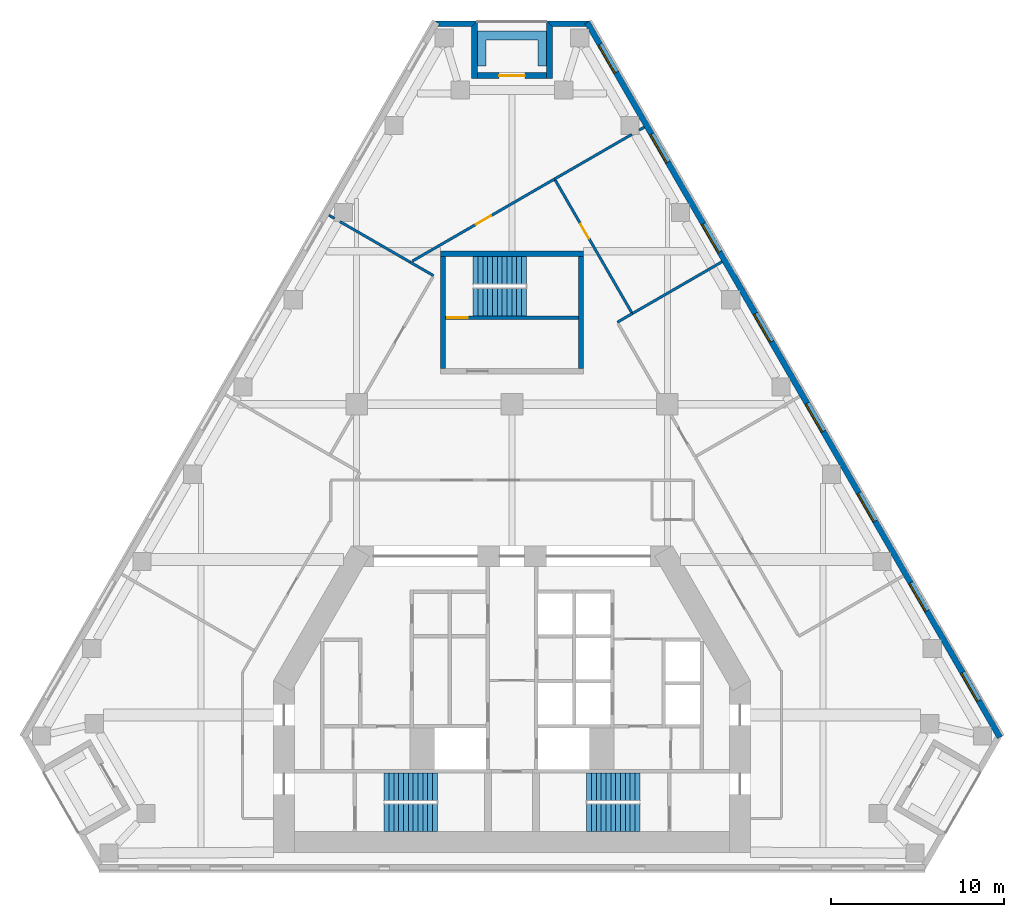
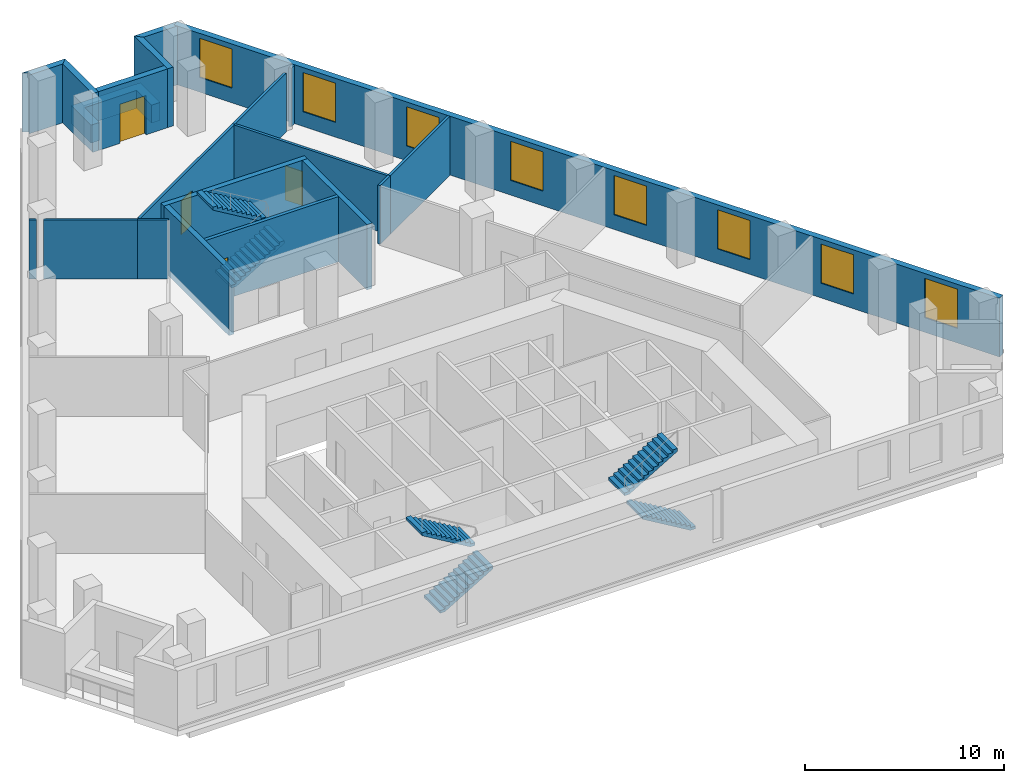
# One storey, part 6 of 7: 20 walls, 8 windows, 6 stair flights, 4 doors, 12 openings, 3 elements without a shape of their own.
"""IFC4 building model written with IfcOpenShell, lengths in metres."""

from ifc_helpers import new_model, si_unit, direction, frame, frame_2d, origin, place, context, subcontext, project, spatial, polyline, rectangle, outline, extrude, material, layer, layer_set, type_object, element, fill, aggregate, save


model = new_model("IFC4")

# Units and contexts
model_context = context("Model", 3, precision=1e-05, world=origin(), true_north=direction((0.0, 1.0)))
body_context = subcontext(model_context, "Body", "Model", "MODEL_VIEW")
ifc_project = project(units=[si_unit("LENGTHUNIT", "METRE"), si_unit("AREAUNIT", "SQUARE_METRE"), si_unit("VOLUMEUNIT", "CUBIC_METRE"), si_unit("PLANEANGLEUNIT", "RADIAN"), si_unit("MASSUNIT", "GRAM", prefix="KILO")], contexts=[model_context])

# Site, building, storey
site_placement = place(None, origin())
site = spatial("IfcSite", under=ifc_project, at=site_placement, CompositionType="ELEMENT")
building_placement = place(site_placement, origin())
building = spatial("IfcBuilding", under=site, at=building_placement, Name="Fogline Exchange Tower", CompositionType="ELEMENT")
storey_placement = place(building_placement, frame((0.0, 0.0, 170.89990234375)))
storey = spatial("IfcBuildingStorey", under=building, at=storey_placement, Name="L38", CompositionType="ELEMENT", Elevation=170.89990234375)

# Wall, opening, door
ifc_material_1 = material(Name="Concrete C40", Category="concrete")
ifc_layer_1 = layer(ifc_material_1, 0.199951171875)
ifc_layer_set_1 = layer_set([ifc_layer_1], Name="CW20R")
wall_type_1 = type_object("IfcWallType", Name="CW20R", PredefinedType="SOLIDWALL", material=ifc_layer_set_1)
wall_1_placement = place(storey_placement, frame((-3.85009765625, 32.007080078125, -0.39990234375), z_axis=(0.0, 0.0, 1.0), x_axis=(1.0, 0.0, 0.0)))
wall_1 = element("IfcWall", 1, at=wall_1_placement, inside=storey, type_object=wall_type_1, Name="Stair enclosure wall ST3", PredefinedType="SOLIDWALL", context=body_context, shape_type="SweptSolid", body=[
    extrude(rectangle(XDim=7.7001953125, YDim=0.199951171875, at=frame_2d((3.85009765625, 0.0))), origin(), (0.0, 0.0, 1.0), 4.0),
])
opening_1_placement = place(wall_1_placement, frame((0.10009765625, 0.0, 0.39990234375)))
opening_1 = element("IfcOpeningElement", 2, at=opening_1_placement, cuts=wall_1, Name="Opening T12-C024", PredefinedType="OPENING", context=body_context, shape_type="SweptSolid", body=[
    extrude(rectangle(XDim=1.199951171875, YDim=2.10009765625, at=frame_2d((0.60009765625, 1.050048828125))), frame((0.0, 0.10986328125, 0.0), z_axis=(0.0, -1.0, 0.0), x_axis=(1.0, 0.0, 0.0)), (0.0, 0.0, 1.0), 0.219970703125),
])
ifc_material_2 = material(Name="Steel and timber fire door", Category="steel")
door_type_1 = type_object("IfcDoorType", Name="D-ST1", OperationType="SINGLE_SWING_LEFT", PredefinedType="DOOR", material=ifc_material_2)
door_1_placement = place(opening_1_placement, origin())
door_1 = element("IfcDoor", 3, at=door_1_placement, inside=storey, type_object=door_type_1, Name="Stair door ST3", OperationType="SINGLE_SWING_LEFT", OverallHeight=2.10009765625, OverallWidth=1.199951171875, PredefinedType="DOOR", context=body_context, shape_type="SweptSolid", body=[
    extrude(rectangle(XDim=1.199951171875, YDim=2.10009765625, at=frame_2d((0.60009765625, 1.050048828125))), frame((0.0, 0.02490234375, 0.0), z_axis=(0.0, -1.0, 0.0), x_axis=(1.0, 0.0, 0.0)), (0.0, 0.0, 1.0), 0.050048828125),
])
fill(opening_1, door_1)

# Walls
ifc_layer_2 = layer(ifc_material_1, 0.300048828125)
ifc_layer_set_2 = layer_set([ifc_layer_2], Name="CW30")
wall_type_2 = type_object("IfcWallType", Name="CW30", PredefinedType="SOLIDWALL", material=ifc_layer_set_2)
wall_2_placement = place(storey_placement, frame((-4.14990234375, 35.70703125, -0.39990234375), z_axis=(0.0, 0.0, 1.0), x_axis=(1.0, 0.0, 0.0)))
element("IfcWall", 4, at=wall_2_placement, inside=storey, type_object=wall_type_2, Name="Stair enclosure wall ST3", PredefinedType="SOLIDWALL", context=body_context, shape_type="SweptSolid", body=[
    extrude(rectangle(XDim=8.2998046875, YDim=0.300048828125, at=frame_2d((4.14990234375, 0.0))), origin(), (0.0, 0.0, 1.0), 4.0),
])
for number, where, z_axis, x_axis, name in (
    (5, (-4.0, 29.056884765625, -0.39990234375), (0.0, 0.0, 1.0), (0.0, 1.0, 0.0), "Stair enclosure wall ST3"),
    (6, (4.0, 29.056884765625, -0.39990234375), (0.0, 0.0, 1.0), (0.0, 1.0, 0.0), "Stair enclosure wall ST3"),
):
    element("IfcWall", number, at=place(storey_placement, frame(where, z_axis=z_axis, x_axis=x_axis)), inside=storey, type_object=wall_type_2, Name=name, PredefinedType="SOLIDWALL", context=body_context, shape_type="SweptSolid", body=[
        extrude(rectangle(XDim=6.5, YDim=0.300048828125, at=frame_2d((3.25, 0.0))), origin(), (0.0, 0.0, 1.0), 4.0),
    ])

# Wall, openings, windows
ifc_material_3 = material(Name="Brick masonry", Category="masonry")
ifc_layer_3 = layer(ifc_material_3, 0.340087890625)
ifc_layer_set_3 = layer_set([ifc_layer_3], Name="FW1")
wall_type_3 = type_object("IfcWallType", Name="FW1", PredefinedType="SOLIDWALL", material=ifc_layer_set_3)
wall_3_placement = place(storey_placement, frame((28.256591796875, 7.709228515625, 0.0), z_axis=(0.0, 0.0, 1.0), x_axis=(-0.500002420408, 0.866024006357, 0.0)))
wall_3 = element("IfcWall", 7, at=wall_3_placement, inside=storey, type_object=wall_type_3, Name="Brick wall L38 E", PredefinedType="SOLIDWALL", context=body_context, shape_type="SweptSolid", body=[
    extrude(rectangle(XDim=47.807373046875, YDim=0.340087890625, at=frame_2d((23.90380859375, 0.0))), origin(), (0.0, 0.0, 1.0), 3.60009765625),
])
opening_2_placement = place(wall_3_placement, frame((2.451904296875, 0.0, 0.89990234375)))
opening_2 = element("IfcOpeningElement", 8, at=opening_2_placement, cuts=wall_3, Name="Opening W1", PredefinedType="OPENING", context=body_context, shape_type="SweptSolid", body=[
    extrude(rectangle(XDim=1.885009765625, YDim=2.39990234375, at=frame_2d((0.9423828125, 1.199951171875))), frame((0.0, 0.18017578125, 0.0), z_axis=(0.0, -1.0, 0.0), x_axis=(1.0, 0.0, 0.0)), (0.0, 0.0, 1.0), 0.360107421875),
])
opening_3_placement = place(wall_3_placement, frame((8.451904296875, 0.0, 0.89990234375)))
opening_3 = element("IfcOpeningElement", 9, at=opening_3_placement, cuts=wall_3, Name="Opening W1", PredefinedType="OPENING", context=body_context, shape_type="SweptSolid", body=[
    extrude(rectangle(XDim=1.885009765625, YDim=2.39990234375, at=frame_2d((0.9423828125, 1.199951171875))), frame((0.0, 0.18017578125, 0.0), z_axis=(0.0, -1.0, 0.0), x_axis=(1.0, 0.0, 0.0)), (0.0, 0.0, 1.0), 0.360107421875),
])
opening_4_placement = place(wall_3_placement, frame((14.451904296875, 0.0, 0.89990234375)))
opening_4 = element("IfcOpeningElement", 10, at=opening_4_placement, cuts=wall_3, Name="Opening W1", PredefinedType="OPENING", context=body_context, shape_type="SweptSolid", body=[
    extrude(rectangle(XDim=1.885009765625, YDim=2.39990234375, at=frame_2d((0.9423828125, 1.199951171875))), frame((0.0, 0.18017578125, 0.0), z_axis=(0.0, -1.0, 0.0), x_axis=(1.0, 0.0, 0.0)), (0.0, 0.0, 1.0), 0.360107421875),
])
opening_5_placement = place(wall_3_placement, frame((20.451904296875, 0.0, 0.89990234375)))
opening_5 = element("IfcOpeningElement", 11, at=opening_5_placement, cuts=wall_3, Name="Opening W1", PredefinedType="OPENING", context=body_context, shape_type="SweptSolid", body=[
    extrude(rectangle(XDim=1.885009765625, YDim=2.39990234375, at=frame_2d((0.9423828125, 1.199951171875))), frame((0.0, 0.18017578125, 0.0), z_axis=(0.0, -1.0, 0.0), x_axis=(1.0, 0.0, 0.0)), (0.0, 0.0, 1.0), 0.360107421875),
])
opening_6_placement = place(wall_3_placement, frame((26.451904296875, 0.0, 0.89990234375)))
opening_6 = element("IfcOpeningElement", 12, at=opening_6_placement, cuts=wall_3, Name="Opening W1", PredefinedType="OPENING", context=body_context, shape_type="SweptSolid", body=[
    extrude(rectangle(XDim=1.885009765625, YDim=2.39990234375, at=frame_2d((0.9423828125, 1.199951171875))), frame((0.0, 0.18017578125, 0.0), z_axis=(0.0, -1.0, 0.0), x_axis=(1.0, 0.0, 0.0)), (0.0, 0.0, 1.0), 0.360107421875),
])
opening_7_placement = place(wall_3_placement, frame((32.451904296875, 0.0, 0.89990234375)))
opening_7 = element("IfcOpeningElement", 13, at=opening_7_placement, cuts=wall_3, Name="Opening W1", PredefinedType="OPENING", context=body_context, shape_type="SweptSolid", body=[
    extrude(rectangle(XDim=1.885009765625, YDim=2.39990234375, at=frame_2d((0.9423828125, 1.199951171875))), frame((0.0, 0.18017578125, 0.0), z_axis=(0.0, -1.0, 0.0), x_axis=(1.0, 0.0, 0.0)), (0.0, 0.0, 1.0), 0.360107421875),
])
opening_8_placement = place(wall_3_placement, frame((38.451904296875, 0.0, 0.89990234375)))
opening_8 = element("IfcOpeningElement", 14, at=opening_8_placement, cuts=wall_3, Name="Opening W1", PredefinedType="OPENING", context=body_context, shape_type="SweptSolid", body=[
    extrude(rectangle(XDim=1.885009765625, YDim=2.39990234375, at=frame_2d((0.9423828125, 1.199951171875))), frame((0.0, 0.18017578125, 0.0), z_axis=(0.0, -1.0, 0.0), x_axis=(1.0, 0.0, 0.0)), (0.0, 0.0, 1.0), 0.360107421875),
])
opening_9_placement = place(wall_3_placement, frame((44.451904296875, 0.0, 0.89990234375)))
opening_9 = element("IfcOpeningElement", 15, at=opening_9_placement, cuts=wall_3, Name="Opening W1", PredefinedType="OPENING", context=body_context, shape_type="SweptSolid", body=[
    extrude(rectangle(XDim=1.885009765625, YDim=2.39990234375, at=frame_2d((0.9423828125, 1.199951171875))), frame((0.0, 0.18017578125, 0.0), z_axis=(0.0, -1.0, 0.0), x_axis=(1.0, 0.0, 0.0)), (0.0, 0.0, 1.0), 0.360107421875),
])
ifc_material_4 = material(Name="Aluminium and glass", Category="aluminium")
window_type = type_object("IfcWindowType", Name="W1", PartitioningType="SINGLE_PANEL", PredefinedType="WINDOW", material=ifc_material_4)
window_1_placement = place(opening_2_placement, origin())
window_1 = element("IfcWindow", 16, at=window_1_placement, inside=storey, type_object=window_type, Name="W1 W1", OverallHeight=2.39990234375, OverallWidth=1.885009765625, PartitioningType="SINGLE_PANEL", PredefinedType="WINDOW", context=body_context, shape_type="SweptSolid", body=[
    extrude(rectangle(XDim=1.885009765625, YDim=2.39990234375, at=frame_2d((0.9423828125, 1.199951171875))), frame((0.0, 0.110107421875, 0.0), z_axis=(0.0, -1.0, 0.0), x_axis=(1.0, 0.0, 0.0)), (0.0, 0.0, 1.0), 0.06005859375),
])
fill(opening_2, window_1)
window_2_placement = place(opening_3_placement, origin())
window_2 = element("IfcWindow", 17, at=window_2_placement, inside=storey, type_object=window_type, Name="W1 W1", OverallHeight=2.39990234375, OverallWidth=1.885009765625, PartitioningType="SINGLE_PANEL", PredefinedType="WINDOW", context=body_context, shape_type="SweptSolid", body=[
    extrude(rectangle(XDim=1.885009765625, YDim=2.39990234375, at=frame_2d((0.9423828125, 1.199951171875))), frame((0.0, 0.110107421875, 0.0), z_axis=(0.0, -1.0, 0.0), x_axis=(1.0, 0.0, 0.0)), (0.0, 0.0, 1.0), 0.06005859375),
])
fill(opening_3, window_2)
window_3_placement = place(opening_4_placement, origin())
window_3 = element("IfcWindow", 18, at=window_3_placement, inside=storey, type_object=window_type, Name="W1 W1", OverallHeight=2.39990234375, OverallWidth=1.885009765625, PartitioningType="SINGLE_PANEL", PredefinedType="WINDOW", context=body_context, shape_type="SweptSolid", body=[
    extrude(rectangle(XDim=1.885009765625, YDim=2.39990234375, at=frame_2d((0.9423828125, 1.199951171875))), frame((0.0, 0.110107421875, 0.0), z_axis=(0.0, -1.0, 0.0), x_axis=(1.0, 0.0, 0.0)), (0.0, 0.0, 1.0), 0.06005859375),
])
fill(opening_4, window_3)
window_4_placement = place(opening_5_placement, origin())
window_4 = element("IfcWindow", 19, at=window_4_placement, inside=storey, type_object=window_type, Name="W1 W1", OverallHeight=2.39990234375, OverallWidth=1.885009765625, PartitioningType="SINGLE_PANEL", PredefinedType="WINDOW", context=body_context, shape_type="SweptSolid", body=[
    extrude(rectangle(XDim=1.885009765625, YDim=2.39990234375, at=frame_2d((0.9423828125, 1.199951171875))), frame((0.0, 0.110107421875, 0.0), z_axis=(0.0, -1.0, 0.0), x_axis=(1.0, 0.0, 0.0)), (0.0, 0.0, 1.0), 0.06005859375),
])
fill(opening_5, window_4)
window_5_placement = place(opening_6_placement, origin())
window_5 = element("IfcWindow", 20, at=window_5_placement, inside=storey, type_object=window_type, Name="W1 W1", OverallHeight=2.39990234375, OverallWidth=1.885009765625, PartitioningType="SINGLE_PANEL", PredefinedType="WINDOW", context=body_context, shape_type="SweptSolid", body=[
    extrude(rectangle(XDim=1.885009765625, YDim=2.39990234375, at=frame_2d((0.9423828125, 1.199951171875))), frame((0.0, 0.110107421875, 0.0), z_axis=(0.0, -1.0, 0.0), x_axis=(1.0, 0.0, 0.0)), (0.0, 0.0, 1.0), 0.06005859375),
])
fill(opening_6, window_5)
window_6_placement = place(opening_7_placement, origin())
window_6 = element("IfcWindow", 21, at=window_6_placement, inside=storey, type_object=window_type, Name="W1 W1", OverallHeight=2.39990234375, OverallWidth=1.885009765625, PartitioningType="SINGLE_PANEL", PredefinedType="WINDOW", context=body_context, shape_type="SweptSolid", body=[
    extrude(rectangle(XDim=1.885009765625, YDim=2.39990234375, at=frame_2d((0.9423828125, 1.199951171875))), frame((0.0, 0.110107421875, 0.0), z_axis=(0.0, -1.0, 0.0), x_axis=(1.0, 0.0, 0.0)), (0.0, 0.0, 1.0), 0.06005859375),
])
fill(opening_7, window_6)
window_7_placement = place(opening_8_placement, origin())
window_7 = element("IfcWindow", 22, at=window_7_placement, inside=storey, type_object=window_type, Name="W1 W1", OverallHeight=2.39990234375, OverallWidth=1.885009765625, PartitioningType="SINGLE_PANEL", PredefinedType="WINDOW", context=body_context, shape_type="SweptSolid", body=[
    extrude(rectangle(XDim=1.885009765625, YDim=2.39990234375, at=frame_2d((0.9423828125, 1.199951171875))), frame((0.0, 0.110107421875, 0.0), z_axis=(0.0, -1.0, 0.0), x_axis=(1.0, 0.0, 0.0)), (0.0, 0.0, 1.0), 0.06005859375),
])
fill(opening_8, window_7)
window_8_placement = place(opening_9_placement, origin())
window_8 = element("IfcWindow", 23, at=window_8_placement, inside=storey, type_object=window_type, Name="W1 W1", OverallHeight=2.39990234375, OverallWidth=1.885009765625, PartitioningType="SINGLE_PANEL", PredefinedType="WINDOW", context=body_context, shape_type="SweptSolid", body=[
    extrude(rectangle(XDim=1.885009765625, YDim=2.39990234375, at=frame_2d((0.9423828125, 1.199951171875))), frame((0.0, 0.110107421875, 0.0), z_axis=(0.0, -1.0, 0.0), x_axis=(1.0, 0.0, 0.0)), (0.0, 0.0, 1.0), 0.06005859375),
])
fill(opening_9, window_8)

# Walls
wall_4_placement = place(storey_placement, origin())
element("IfcWall", 24, at=wall_4_placement, inside=storey, type_object=wall_type_3, Name="Brick wall L38 N-c1", PredefinedType="SOLIDWALL", context=body_context, shape_type="SweptSolid", body=[
    extrude(outline(polyline([(1.9990234375, 49.197265625), (4.5009765625, 49.197265625), (4.501220703125, 49.19677734375), (4.206298828125, 49.0263671875), (4.3046875, 48.85595703125), (2.33984375, 48.85595703125), (1.998779296875, 49.197021484375), (1.9990234375, 49.197265625)])), origin(), (0.0, 0.0, 1.0), 3.60009765625),
])
wall_5_placement = place(storey_placement, origin())
element("IfcWall", 25, at=wall_5_placement, inside=storey, type_object=wall_type_3, Name="Brick wall L38 N-s1", PredefinedType="SOLIDWALL", context=body_context, shape_type="SweptSolid", body=[
    extrude(outline(polyline([(2.340576171875, 45.85595703125), (1.99951171875, 45.85595703125), (1.99951171875, 49.19775390625), (1.999755859375, 49.19775390625), (2.340576171875, 48.85693359375), (2.340576171875, 45.85595703125)])), origin(), (0.0, 0.0, 1.0), 3.60009765625),
])

# Wall, opening, door
wall_6_placement = place(storey_placement, frame((2.0, 46.026611328125, 0.0), z_axis=(0.0, 0.0, 1.0), x_axis=(-1.0, 0.0, 0.0)))
wall_6 = element("IfcWall", 26, at=wall_6_placement, inside=storey, type_object=wall_type_3, Name="Brick wall L38 N-bk", PredefinedType="SOLIDWALL", context=body_context, shape_type="SweptSolid", body=[
    extrude(rectangle(XDim=4.0, YDim=0.340087890625, at=frame_2d((2.0, 0.0))), origin(), (0.0, 0.0, 1.0), 3.60009765625),
])
opening_10_placement = place(wall_6_placement, frame((1.25, 0.0, 0.0)))
opening_10 = element("IfcOpeningElement", 27, at=opening_10_placement, cuts=wall_6, Name="Opening T12-E141", PredefinedType="OPENING", context=body_context, shape_type="SweptSolid", body=[
    extrude(rectangle(XDim=1.5, YDim=2.39990234375, at=frame_2d((0.75, 1.199951171875))), frame((0.0, 0.18017578125, 0.0), z_axis=(0.0, -1.0, 0.0), x_axis=(1.0, 0.0, 0.0)), (0.0, 0.0, 1.0), 0.360107421875),
])
door_type_2 = type_object("IfcDoorType", Name="ED4", OperationType="SINGLE_SWING_LEFT", PredefinedType="DOOR", material=ifc_material_4)
door_2_placement = place(opening_10_placement, frame((1.5, 0.0, 0.0), z_axis=(0.0, 0.0, 1.0), x_axis=(-1.0, 0.0, 0.0)))
door_2 = element("IfcDoor", 28, at=door_2_placement, inside=storey, type_object=door_type_2, Name="Balcony door L38 N", OperationType="DOUBLE_DOOR_SINGLE_SWING", OverallHeight=2.39990234375, OverallWidth=1.5, PredefinedType="DOOR", context=body_context, shape_type="SweptSolid", body=[
    extrude(rectangle(XDim=1.5, YDim=2.39990234375, at=frame_2d((0.75, 1.199951171875))), frame((0.0, 0.02490234375, 0.0), z_axis=(0.0, -1.0, 0.0), x_axis=(1.0, 0.0, 0.0)), (0.0, 0.0, 1.0), 0.050048828125),
])
fill(opening_10, door_2)

# Walls
wall_7_placement = place(storey_placement, origin())
element("IfcWall", 29, at=wall_7_placement, inside=storey, type_object=wall_type_3, Name="Brick wall L38 N-s2", PredefinedType="SOLIDWALL", context=body_context, shape_type="SweptSolid", body=[
    extrude(outline(polyline([(-1.99951171875, 49.19775390625), (-1.99951171875, 45.85595703125), (-2.340576171875, 45.85595703125), (-2.340576171875, 48.85693359375), (-1.999755859375, 49.19775390625), (-1.99951171875, 49.19775390625)])), origin(), (0.0, 0.0, 1.0), 3.60009765625),
])
wall_8_placement = place(storey_placement, origin())
element("IfcWall", 30, at=wall_8_placement, inside=storey, type_object=wall_type_3, Name="Brick wall L38 N-c2", PredefinedType="SOLIDWALL", context=body_context, shape_type="SweptSolid", body=[
    extrude(outline(polyline([(-4.3046875, 48.85595703125), (-4.206298828125, 49.0263671875), (-4.501220703125, 49.19677734375), (-4.5009765625, 49.197265625), (-1.9990234375, 49.197265625), (-1.998779296875, 49.197021484375), (-2.33984375, 48.85595703125), (-4.3046875, 48.85595703125)])), origin(), (0.0, 0.0, 1.0), 3.60009765625),
])
ifc_material_5 = material(Name="Concrete C30", Category="concrete")
ifc_layer_4 = layer(ifc_material_5, 0.199951171875)
ifc_layer_set_4 = layer_set([ifc_layer_4], Name="PL1")
wall_type_4 = type_object("IfcWallType", Name="PL1", PredefinedType="USERDEFINED", material=ifc_layer_set_4)
wall_9_placement = place(storey_placement, origin())
element("IfcWall", 31, at=wall_9_placement, inside=storey, type_object=wall_type_4, Name="PLANTER balcony L38 N", ObjectType="PLANTER", PredefinedType="USERDEFINED", context=body_context, shape_type="SweptSolid", body=[
    extrude(outline(polyline([(-1.5, 48.5966796875), (-2.0, 48.5966796875), (-2.0, 48.0966796875), (-2.0, 46.5966796875), (-1.5, 46.5966796875), (-1.5, 48.0966796875), (1.5, 48.0966796875), (1.5, 46.5966796875), (2.0, 46.5966796875), (2.0, 48.0966796875), (2.0, 48.5966796875), (1.5, 48.5966796875), (-1.5, 48.5966796875)])), origin(), (0.0, 0.0, 1.0), 1.10009765625),
])
ifc_material_6 = material(Name="Plasterboard demising partition with mineral wool and acoustic board")
ifc_layer_5 = layer(ifc_material_6, 0.14990234375)
ifc_layer_set_5 = layer_set([ifc_layer_5], Name="PW3")
wall_type_5 = type_object("IfcWallType", Name="PW3", PredefinedType="PARTITIONING", material=ifc_layer_set_5)
wall_10_placement = place(storey_placement, frame((6.9658203125, 32.24560546875, 0.0), z_axis=(0.0, 0.0, 1.0), x_axis=(0.866031096941, 0.499990139034, 0.0)))
element("IfcWall", 32, at=wall_10_placement, inside=storey, type_object=wall_type_5, Name="wall-L38-W018", PredefinedType="PARTITIONING", context=body_context, shape_type="SweptSolid", body=[
    extrude(rectangle(XDim=6.0, YDim=0.14990234375, at=frame_2d((3.0, 0.0))), origin(), (0.0, 0.0, 1.0), 3.60009765625),
])
wall_11_placement = place(storey_placement, frame((6.099853515625, 31.74560546875, 0.0), z_axis=(0.0, 0.0, 1.0), x_axis=(0.866010750942, 0.50002537861, 0.0)))
element("IfcWall", 33, at=wall_11_placement, inside=storey, type_object=wall_type_5, Name="wall-L38-W021", PredefinedType="PARTITIONING", context=body_context, shape_type="SweptSolid", body=[
    extrude(rectangle(XDim=1.0, YDim=0.14990234375, at=frame_2d((0.5, 0.0))), origin(), (0.0, 0.0, 1.0), 3.60009765625),
])
wall_12_placement = place(storey_placement, frame((2.4658203125, 40.039794921875, 0.0), z_axis=(0.0, 0.0, 1.0), x_axis=(0.866028888221, 0.499993964731, 0.0)))
element("IfcWall", 34, at=wall_12_placement, inside=storey, type_object=wall_type_5, Name="wall-L38-W022", PredefinedType="PARTITIONING", context=body_context, shape_type="SweptSolid", body=[
    extrude(rectangle(XDim=5.1630859375, YDim=0.14990234375, at=frame_2d((2.58154296875, 0.0))), origin(), (0.0, 0.0, 1.0), 3.60009765625),
])
wall_13_placement = place(storey_placement, frame((7.36328125, 42.867431640625, 0.0), z_axis=(0.0, 0.0, 1.0), x_axis=(0.866232710263, 0.499640762619, 0.0)))
element("IfcWall", 35, at=wall_13_placement, inside=storey, type_object=wall_type_5, Name="wall-L38-W023", PredefinedType="PARTITIONING", context=body_context, shape_type="SweptSolid", body=[
    extrude(rectangle(XDim=0.344970703125, YDim=0.14990234375, at=frame_2d((0.17236328125, 0.0))), origin(), (0.0, 0.0, 1.0), 3.60009765625),
])

# Wall, opening, door
wall_14_placement = place(storey_placement, frame((6.928466796875, 32.310546875, 0.0), z_axis=(0.0, 0.0, 1.0), x_axis=(-0.500005027614, 0.86602250107, 0.0)))
wall_14 = element("IfcWall", 36, at=wall_14_placement, inside=storey, type_object=wall_type_5, Name="wall-L38-W024", PredefinedType="PARTITIONING", context=body_context, shape_type="SweptSolid", body=[
    extrude(rectangle(XDim=8.85009765625, YDim=0.14990234375, at=frame_2d((4.425048828125, 0.0))), origin(), (0.0, 0.0, 1.0), 3.60009765625),
])
opening_11_placement = place(wall_14_placement, frame((4.92724609375, 0.0, 0.0)))
opening_11 = element("IfcOpeningElement", 37, at=opening_11_placement, cuts=wall_14, Name="Opening T12-D009", PredefinedType="OPENING", context=body_context, shape_type="SweptSolid", body=[
    extrude(rectangle(XDim=1.0, YDim=2.10009765625, at=frame_2d((0.5, 1.050048828125))), frame((0.0, 0.0849609375, 0.0), z_axis=(0.0, -1.0, 0.0), x_axis=(1.0, 0.0, 0.0)), (0.0, 0.0, 1.0), 0.169921875),
])
ifc_material_7 = material(Name="Fire-rated timber door leaf with steel frame", Category="steel")
door_type_3 = type_object("IfcDoorType", Name="D3", OperationType="SINGLE_SWING_LEFT", PredefinedType="DOOR", material=ifc_material_7)
door_3_placement = place(opening_11_placement, frame((1.0, 0.0, 0.0), z_axis=(0.0, 0.0, 1.0), x_axis=(-1.0, 0.0, 0.0)))
door_3 = element("IfcDoor", 38, at=door_3_placement, inside=storey, type_object=door_type_3, Name="door-L38-D009", OperationType="SINGLE_SWING_LEFT", OverallHeight=2.10009765625, OverallWidth=1.0, PredefinedType="DOOR", context=body_context, shape_type="SweptSolid", body=[
    extrude(rectangle(XDim=1.0, YDim=2.10009765625, at=frame_2d((0.5, 1.050048828125))), frame((0.0, 0.02490234375, 0.0), z_axis=(0.0, -1.0, 0.0), x_axis=(1.0, 0.0, 0.0)), (0.0, 0.0, 1.0), 0.050048828125),
])
fill(opening_11, door_3)

# Walls
wall_15_placement = place(storey_placement, frame((-5.885009765625, 35.218505859375, 0.0), z_axis=(0.0, 0.0, 1.0), x_axis=(-0.866037835763, 0.499978466563, 0.0)))
element("IfcWall", 39, at=wall_15_placement, inside=storey, type_object=wall_type_5, Name="wall-L38-W025", PredefinedType="PARTITIONING", context=body_context, shape_type="SweptSolid", body=[
    extrude(rectangle(XDim=4.705322265625, YDim=0.14990234375, at=frame_2d((2.3525390625, 0.0))), origin(), (0.0, 0.0, 1.0), 3.60009765625),
])
wall_16_placement = place(storey_placement, frame((-10.279296875, 37.75537109375, 0.0), z_axis=(0.0, 0.0, 1.0), x_axis=(-0.86603400694, 0.499985098601, 0.0)))
element("IfcWall", 40, at=wall_16_placement, inside=storey, type_object=wall_type_5, Name="wall-L38-W026", PredefinedType="PARTITIONING", context=body_context, shape_type="SweptSolid", body=[
    extrude(rectangle(XDim=0.37548828125, YDim=0.14990234375, at=frame_2d((0.187744140625, 0.0))), origin(), (0.0, 0.0, 1.0), 3.60009765625),
])

# Wall, opening, door
wall_17_placement = place(storey_placement, frame((2.4658203125, 40.039794921875, 0.0), z_axis=(0.0, 0.0, 1.0), x_axis=(-0.866031295356, -0.49998979536, 0.0)))
wall_17 = element("IfcWall", 41, at=wall_17_placement, inside=storey, type_object=wall_type_5, Name="wall-L38-W027", PredefinedType="PARTITIONING", context=body_context, shape_type="SweptSolid", body=[
    extrude(rectangle(XDim=9.512451171875, YDim=0.14990234375, at=frame_2d((4.75634765625, 0.0))), origin(), (0.0, 0.0, 1.0), 3.60009765625),
])
opening_12_placement = place(wall_17_placement, frame((4.256103515625, 0.0, 0.0)))
opening_12 = element("IfcOpeningElement", 42, at=opening_12_placement, cuts=wall_17, Name="Opening T12-D010", PredefinedType="OPENING", context=body_context, shape_type="SweptSolid", body=[
    extrude(rectangle(XDim=1.0, YDim=2.10009765625, at=frame_2d((0.5, 1.050048828125))), frame((0.0, 0.0849609375, 0.0), z_axis=(0.0, -1.0, 0.0), x_axis=(1.0, 0.0, 0.0)), (0.0, 0.0, 1.0), 0.169921875),
])
door_4_placement = place(opening_12_placement, frame((1.0, 0.0, 0.0), z_axis=(0.0, 0.0, 1.0), x_axis=(-1.0, 0.0, 0.0)))
door_4 = element("IfcDoor", 43, at=door_4_placement, inside=storey, type_object=door_type_3, Name="door-L38-D010", OperationType="SINGLE_SWING_RIGHT", OverallHeight=2.10009765625, OverallWidth=1.0, PredefinedType="DOOR", context=body_context, shape_type="SweptSolid", body=[
    extrude(rectangle(XDim=1.0, YDim=2.10009765625, at=frame_2d((0.5, 1.050048828125))), frame((0.0, 0.02490234375, 0.0), z_axis=(0.0, -1.0, 0.0), x_axis=(1.0, 0.0, 0.0)), (0.0, 0.0, 1.0), 0.050048828125),
])
fill(opening_12, door_4)

# Wall
wall_18_placement = place(storey_placement, frame((-5.885009765625, 35.218505859375, 0.0), z_axis=(0.0, 0.0, 1.0), x_axis=(0.86594691757, -0.500135917477, 0.0)))
element("IfcWall", 44, at=wall_18_placement, inside=storey, type_object=wall_type_5, Name="wall-L38-W029", PredefinedType="PARTITIONING", context=body_context, shape_type="SweptSolid", body=[
    extrude(rectangle(XDim=1.55029296875, YDim=0.14990234375, at=frame_2d((0.775146484375, 0.0))), origin(), (0.0, 0.0, 1.0), 3.60009765625),
])

# Stair, stair flights
stair_type = type_object("IfcStairType", Name="STR24-1667", PredefinedType="HALF_TURN_STAIR", material=ifc_material_1)
stair_1_placement = place(storey_placement, origin())
stair_1 = element("IfcStair", 45, at=stair_1_placement, inside=storey, type_object=stair_type, Name="Stair ST1", PredefinedType="HALF_TURN_STAIR")
stair_flight_type = type_object("IfcStairFlightType", Name="SF12-1667", PredefinedType="STRAIGHT", material=ifc_material_1)
stair_flight_1_placement = place(storey_placement, frame((-7.39990234375, 3.050048828125, 0.0), z_axis=(0.0, 0.0, 1.0), x_axis=(1.0, 0.0, 0.0)))
stair_flight_1 = element("IfcStairFlight", 46, at=stair_flight_1_placement, type_object=stair_flight_type, Name="ST1 flight 1", NumberOfRisers=12, NumberOfTreads=11, PredefinedType="STRAIGHT", RiserHeight=0.166666667, TreadLength=0.28, context=body_context, shape_type="SweptSolid", body=[
    extrude(outline(polyline([(0.0, 0.0), (0.0, 0.166748046875), (0.280029296875, 0.166748046875), (0.280029296875, 0.333251953125), (0.56005859375, 0.333251953125), (0.56005859375, 0.5), (0.840087890625, 0.5), (0.840087890625, 0.666748046875), (1.1201171875, 0.666748046875), (1.1201171875, 0.833251953125), (1.39990234375, 0.833251953125), (1.39990234375, 1.0), (1.679931640625, 1.0), (1.679931640625, 1.166748046875), (1.9599609375, 1.166748046875), (1.9599609375, 1.333251953125), (2.239990234375, 1.333251953125), (2.239990234375, 1.5), (2.52001953125, 1.5), (2.52001953125, 1.666748046875), (2.800048828125, 1.666748046875), (2.800048828125, 1.833251953125), (3.080078125, 1.833251953125), (3.080078125, 2.0), (3.080078125, 1.658935546875), (0.29296875, 0.0), (0.0, 0.0)])), frame((0.0, 0.800048828125, 0.0), z_axis=(0.0, -1.0, 0.0), x_axis=(1.0, 0.0, 0.0)), (0.0, 0.0, 1.0), 1.60009765625),
])
stair_flight_2_placement = place(storey_placement, frame((-4.320068359375, 4.85009765625, 2.0), z_axis=(0.0, 0.0, 1.0), x_axis=(-1.0, 0.0, 0.0)))
stair_flight_2 = element("IfcStairFlight", 47, at=stair_flight_2_placement, type_object=stair_flight_type, Name="ST1 flight 2", NumberOfRisers=12, NumberOfTreads=11, PredefinedType="STRAIGHT", RiserHeight=0.166666667, TreadLength=0.28, context=body_context, shape_type="SweptSolid", body=[
    extrude(outline(polyline([(0.0, 0.0), (0.0, 0.166748046875), (0.280029296875, 0.166748046875), (0.280029296875, 0.333251953125), (0.56005859375, 0.333251953125), (0.56005859375, 0.5), (0.840087890625, 0.5), (0.840087890625, 0.666748046875), (1.1201171875, 0.666748046875), (1.1201171875, 0.833251953125), (1.39990234375, 0.833251953125), (1.39990234375, 1.0), (1.679931640625, 1.0), (1.679931640625, 1.166748046875), (1.9599609375, 1.166748046875), (1.9599609375, 1.333251953125), (2.239990234375, 1.333251953125), (2.239990234375, 1.5), (2.52001953125, 1.5), (2.52001953125, 1.666748046875), (2.800048828125, 1.666748046875), (2.800048828125, 1.833251953125), (3.080078125, 1.833251953125), (3.080078125, 2.0), (3.080078125, 1.658935546875), (0.29296875, 0.0), (0.0, 0.0)])), frame((0.0, 0.800048828125, 0.0), z_axis=(0.0, -1.0, 0.0), x_axis=(1.0, 0.0, 0.0)), (0.0, 0.0, 1.0), 1.60009765625),
])
aggregate(stair_1, [stair_flight_1, stair_flight_2])

stair_2_placement = place(storey_placement, origin())
stair_2 = element("IfcStair", 48, at=stair_2_placement, inside=storey, type_object=stair_type, Name="Stair ST2", PredefinedType="HALF_TURN_STAIR")
stair_flight_3_placement = place(storey_placement, frame((7.39990234375, 3.050048828125, 0.0), z_axis=(0.0, 0.0, 1.0), x_axis=(-1.0, 0.0, 0.0)))
stair_flight_3 = element("IfcStairFlight", 49, at=stair_flight_3_placement, type_object=stair_flight_type, Name="ST2 flight 1", NumberOfRisers=12, NumberOfTreads=11, PredefinedType="STRAIGHT", RiserHeight=0.166666667, TreadLength=0.28, context=body_context, shape_type="SweptSolid", body=[
    extrude(outline(polyline([(0.0, 0.0), (0.0, 0.166748046875), (0.280029296875, 0.166748046875), (0.280029296875, 0.333251953125), (0.56005859375, 0.333251953125), (0.56005859375, 0.5), (0.840087890625, 0.5), (0.840087890625, 0.666748046875), (1.1201171875, 0.666748046875), (1.1201171875, 0.833251953125), (1.39990234375, 0.833251953125), (1.39990234375, 1.0), (1.679931640625, 1.0), (1.679931640625, 1.166748046875), (1.9599609375, 1.166748046875), (1.9599609375, 1.333251953125), (2.239990234375, 1.333251953125), (2.239990234375, 1.5), (2.52001953125, 1.5), (2.52001953125, 1.666748046875), (2.800048828125, 1.666748046875), (2.800048828125, 1.833251953125), (3.080078125, 1.833251953125), (3.080078125, 2.0), (3.080078125, 1.658935546875), (0.29296875, 0.0), (0.0, 0.0)])), frame((0.0, 0.800048828125, 0.0), z_axis=(0.0, -1.0, 0.0), x_axis=(1.0, 0.0, 0.0)), (0.0, 0.0, 1.0), 1.60009765625),
])
stair_flight_4_placement = place(storey_placement, frame((4.320068359375, 4.85009765625, 2.0), z_axis=(0.0, 0.0, 1.0), x_axis=(1.0, 0.0, 0.0)))
stair_flight_4 = element("IfcStairFlight", 50, at=stair_flight_4_placement, type_object=stair_flight_type, Name="ST2 flight 2", NumberOfRisers=12, NumberOfTreads=11, PredefinedType="STRAIGHT", RiserHeight=0.166666667, TreadLength=0.28, context=body_context, shape_type="SweptSolid", body=[
    extrude(outline(polyline([(0.0, 0.0), (0.0, 0.166748046875), (0.280029296875, 0.166748046875), (0.280029296875, 0.333251953125), (0.56005859375, 0.333251953125), (0.56005859375, 0.5), (0.840087890625, 0.5), (0.840087890625, 0.666748046875), (1.1201171875, 0.666748046875), (1.1201171875, 0.833251953125), (1.39990234375, 0.833251953125), (1.39990234375, 1.0), (1.679931640625, 1.0), (1.679931640625, 1.166748046875), (1.9599609375, 1.166748046875), (1.9599609375, 1.333251953125), (2.239990234375, 1.333251953125), (2.239990234375, 1.5), (2.52001953125, 1.5), (2.52001953125, 1.666748046875), (2.800048828125, 1.666748046875), (2.800048828125, 1.833251953125), (3.080078125, 1.833251953125), (3.080078125, 2.0), (3.080078125, 1.658935546875), (0.29296875, 0.0), (0.0, 0.0)])), frame((0.0, 0.800048828125, 0.0), z_axis=(0.0, -1.0, 0.0), x_axis=(1.0, 0.0, 0.0)), (0.0, 0.0, 1.0), 1.60009765625),
])
aggregate(stair_2, [stair_flight_3, stair_flight_4])

stair_3_placement = place(storey_placement, origin())
stair_3 = element("IfcStair", 51, at=stair_3_placement, inside=storey, type_object=stair_type, Name="Stair ST3", PredefinedType="HALF_TURN_STAIR")
stair_flight_5_placement = place(storey_placement, frame((-2.25, 32.906982421875, 0.0), z_axis=(0.0, 0.0, 1.0), x_axis=(1.0, 0.0, 0.0)))
stair_flight_5 = element("IfcStairFlight", 52, at=stair_flight_5_placement, type_object=stair_flight_type, Name="ST3 flight 1", NumberOfRisers=12, NumberOfTreads=11, PredefinedType="STRAIGHT", RiserHeight=0.166666667, TreadLength=0.28, context=body_context, shape_type="SweptSolid", body=[
    extrude(outline(polyline([(0.0, 0.0), (0.0, 0.166748046875), (0.280029296875, 0.166748046875), (0.280029296875, 0.333251953125), (0.56005859375, 0.333251953125), (0.56005859375, 0.5), (0.840087890625, 0.5), (0.840087890625, 0.666748046875), (1.1201171875, 0.666748046875), (1.1201171875, 0.833251953125), (1.39990234375, 0.833251953125), (1.39990234375, 1.0), (1.679931640625, 1.0), (1.679931640625, 1.166748046875), (1.9599609375, 1.166748046875), (1.9599609375, 1.333251953125), (2.239990234375, 1.333251953125), (2.239990234375, 1.5), (2.52001953125, 1.5), (2.52001953125, 1.666748046875), (2.800048828125, 1.666748046875), (2.800048828125, 1.833251953125), (3.080078125, 1.833251953125), (3.080078125, 2.0), (3.080078125, 1.658935546875), (0.29296875, 0.0), (0.0, 0.0)])), frame((0.0, 0.800048828125, 0.0), z_axis=(0.0, -1.0, 0.0), x_axis=(1.0, 0.0, 0.0)), (0.0, 0.0, 1.0), 1.60009765625),
])
stair_flight_6_placement = place(storey_placement, frame((0.830078125, 34.757080078125, 2.0), z_axis=(0.0, 0.0, 1.0), x_axis=(-1.0, 0.0, 0.0)))
stair_flight_6 = element("IfcStairFlight", 53, at=stair_flight_6_placement, type_object=stair_flight_type, Name="ST3 flight 2", NumberOfRisers=12, NumberOfTreads=11, PredefinedType="STRAIGHT", RiserHeight=0.166666667, TreadLength=0.28, context=body_context, shape_type="SweptSolid", body=[
    extrude(outline(polyline([(0.0, 0.0), (0.0, 0.166748046875), (0.280029296875, 0.166748046875), (0.280029296875, 0.333251953125), (0.56005859375, 0.333251953125), (0.56005859375, 0.5), (0.840087890625, 0.5), (0.840087890625, 0.666748046875), (1.1201171875, 0.666748046875), (1.1201171875, 0.833251953125), (1.39990234375, 0.833251953125), (1.39990234375, 1.0), (1.679931640625, 1.0), (1.679931640625, 1.166748046875), (1.9599609375, 1.166748046875), (1.9599609375, 1.333251953125), (2.239990234375, 1.333251953125), (2.239990234375, 1.5), (2.52001953125, 1.5), (2.52001953125, 1.666748046875), (2.800048828125, 1.666748046875), (2.800048828125, 1.833251953125), (3.080078125, 1.833251953125), (3.080078125, 2.0), (3.080078125, 1.658935546875), (0.29296875, 0.0), (0.0, 0.0)])), frame((0.0, 0.800048828125, 0.0), z_axis=(0.0, -1.0, 0.0), x_axis=(1.0, 0.0, 0.0)), (0.0, 0.0, 1.0), 1.60009765625),
])
aggregate(stair_3, [stair_flight_5, stair_flight_6])

save(model, "model.ifc")
